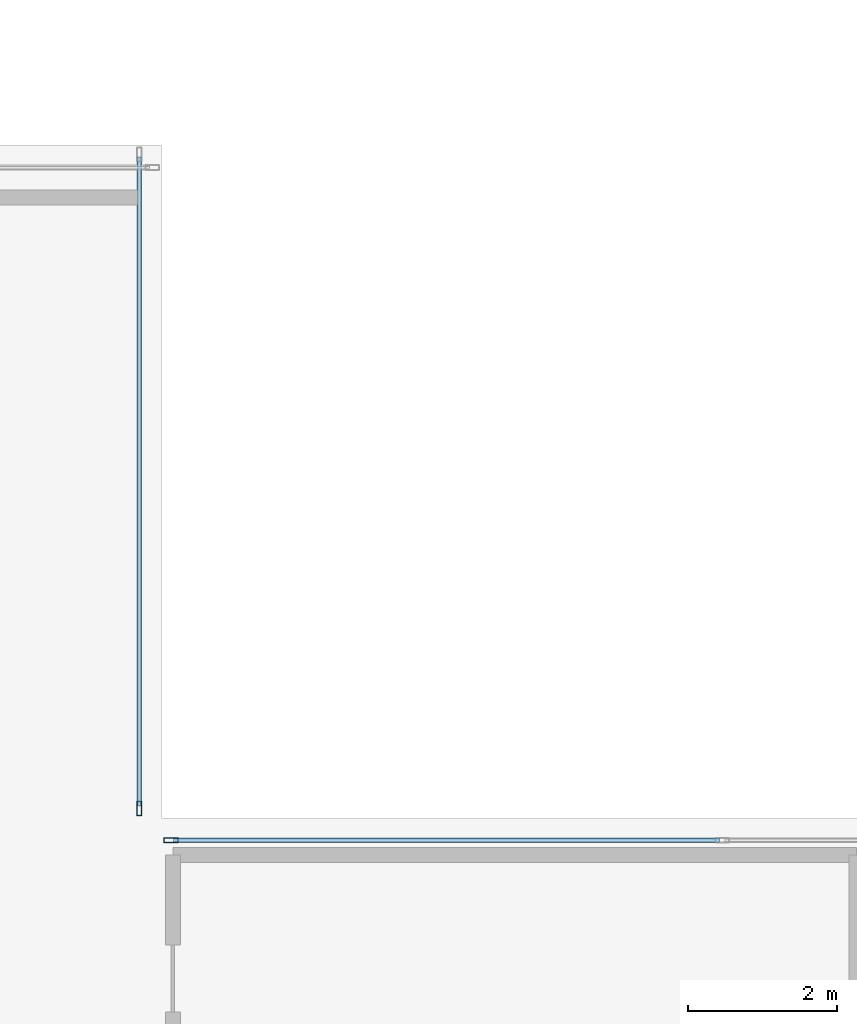
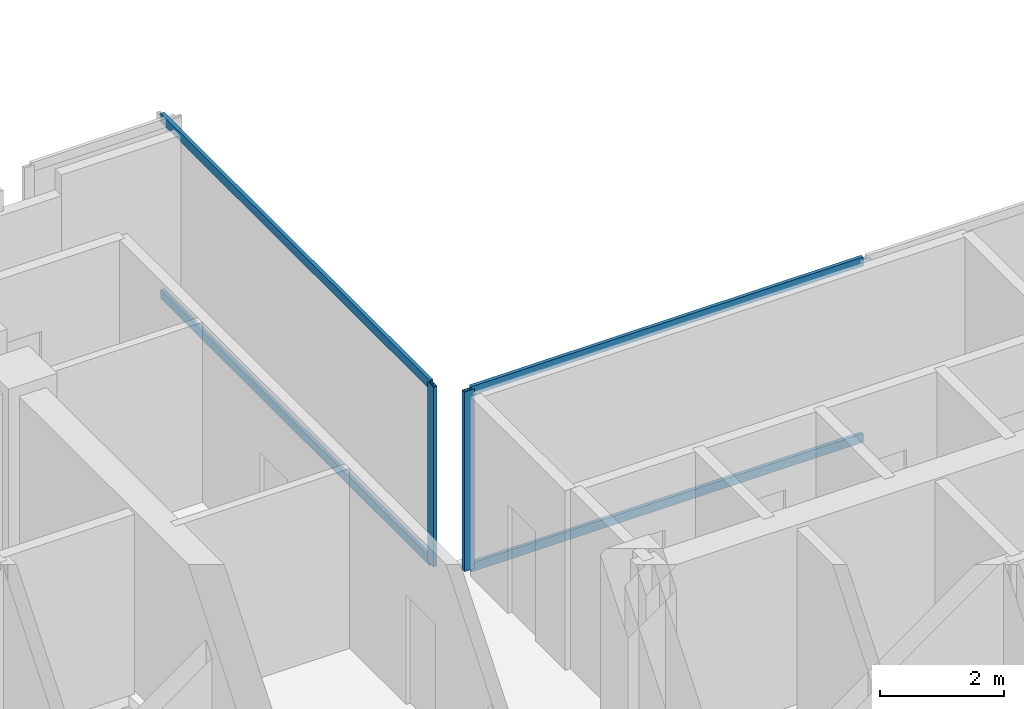
# One storey, part 10 of 26: 6 members, 2 elements without a shape of their own.
"""IFC4 building model written with IfcOpenShell, lengths in metres."""

from ifc_helpers import new_model, si_unit, direction, frame, origin, origin_2d, place, context, subcontext, project, spatial, hollow_rectangle, extrude, material, layer, layer_set, material_profile, profile_set, type_object, element, aggregate, save


model = new_model("IFC4")

# Units and contexts
model_context = context("Model", 3, precision=1e-05, world=origin(), true_north=direction((0.0, 1.0)))
body_context = subcontext(model_context, "Body", "Model", "MODEL_VIEW")
ifc_project = project(units=[si_unit("LENGTHUNIT", "METRE"), si_unit("AREAUNIT", "SQUARE_METRE"), si_unit("VOLUMEUNIT", "CUBIC_METRE"), si_unit("PLANEANGLEUNIT", "RADIAN"), si_unit("MASSUNIT", "GRAM", prefix="KILO"), si_unit("THERMODYNAMICTEMPERATUREUNIT", "KELVIN"), si_unit("POWERUNIT", "WATT")], contexts=[model_context])

# Site, building, storey
site_placement = place(None, origin())
site = spatial("IfcSite", under=ifc_project, at=site_placement, CompositionType="ELEMENT")
building_placement = place(site_placement, origin())
building = spatial("IfcBuilding", under=site, at=building_placement, Name="Svarakhadi Broadcast Tower", CompositionType="ELEMENT")
storey_placement = place(building_placement, frame((0.0, 0.0, 184.199951171875)))
storey = spatial("IfcBuildingStorey", under=building, at=storey_placement, Name="L45", CompositionType="ELEMENT", Elevation=184.199951171875)

# Curtain wall, member
ifc_material = material(Name="Anodised Bronze Aluminium AA 6063-T6", Category="aluminium")
ifc_layer = layer(ifc_material, 0.18994140625)
ifc_layer_set = layer_set([ifc_layer], Name="Anodised Bronze Aluminium AA 6063-T6")
curtain_wall_type = type_object("IfcCurtainWallType", Name="CW_Sys_04", PredefinedType="NOTDEFINED", material=ifc_layer_set)
curtain_wall_1_placement = place(storey_placement, origin())
curtain_wall_1 = element("IfcCurtainWall", 1, at=curtain_wall_1_placement, inside=storey, type_object=curtain_wall_type, Name="L45 Unitised Facade Curtain Wall 09", PredefinedType="NOTDEFINED")
ifc_material_profile_1 = material_profile(ifc_material, hollow_rectangle(XDim=0.070068359375, YDim=0.18994140625, WallThickness=0.005615234375, at=origin_2d()), Name="ALU MULLION 190x70x6")
ifc_profile_set_1 = profile_set([ifc_material_profile_1], Name="Anodised Bronze Aluminium AA 6063-T6")
member_type_1 = type_object("IfcMemberType", Name="CW_Sys_04_Mul", PredefinedType="MULLION", material=ifc_profile_set_1)
member_1_placement = place(storey_placement, frame((23.699951171875, 24.125, 0.0), z_axis=(0.0, 0.0, 1.0), x_axis=(1.0, 0.0, 0.0)))
member_1 = element("IfcMember", 2, at=member_1_placement, type_object=member_type_1, Name="CW-04 mullion 2", PredefinedType="MULLION", context=body_context, shape_type="SweptSolid", body=[
    extrude(hollow_rectangle(XDim=0.070068359375, YDim=0.18994140625, WallThickness=0.005615234375, at=origin_2d()), origin(), (0.0, 0.0, 1.0), 3.5400390625),
])

curtain_wall_2_placement = place(storey_placement, origin())
curtain_wall_2 = element("IfcCurtainWall", 3, at=curtain_wall_2_placement, inside=storey, type_object=curtain_wall_type, Name="L45 Unitised Facade Curtain Wall 10", PredefinedType="NOTDEFINED")
member_2_placement = place(storey_placement, frame((24.125, 23.699951171875, 0.0), z_axis=(0.0, 0.0, 1.0), x_axis=(0.0, 1.0, 0.0)))
member_2 = element("IfcMember", 4, at=member_2_placement, type_object=member_type_1, Name="CW-04 mullion 1", PredefinedType="MULLION", context=body_context, shape_type="SweptSolid", body=[
    extrude(hollow_rectangle(XDim=0.070068359375, YDim=0.18994140625, WallThickness=0.005615234375, at=origin_2d()), origin(), (0.0, 0.0, 1.0), 3.5400390625),
])

# Member
ifc_material_profile_2 = material_profile(ifc_material, hollow_rectangle(XDim=0.06494140625, YDim=0.175048828125, WallThickness=0.0048828125, at=origin_2d()), Name="ALU TRANSOM 175x65x5")
ifc_profile_set_2 = profile_set([ifc_material_profile_2], Name="Anodised Bronze Aluminium AA 6063-T6")
member_type_2 = type_object("IfcMemberType", Name="CW_Sys_04_Trn", PredefinedType="USERDEFINED", material=ifc_profile_set_2)
member_3_placement = place(storey_placement, frame((23.699951171875, 32.840087890625, 0.032470703125), z_axis=(0.0, -1.0, 0.0), x_axis=(1.0, 0.0, 0.0)))
member_3 = element("IfcMember", 5, at=member_3_placement, type_object=member_type_2, Name="CW-04 transom 1.1", ObjectType="TRANSOM", PredefinedType="USERDEFINED", context=body_context, shape_type="SweptSolid", body=[
    extrude(hollow_rectangle(XDim=0.06494140625, YDim=0.175048828125, WallThickness=0.0048828125, at=origin_2d()), origin(), (0.0, 0.0, 1.0), 8.68017578125),
])

member_4_placement = place(storey_placement, frame((23.699951171875, 32.840087890625, 3.507568359375), z_axis=(0.0, -1.0, 0.0), x_axis=(1.0, 0.0, 0.0)))
member_4 = element("IfcMember", 6, at=member_4_placement, type_object=member_type_2, Name="CW-04 transom 1.2", ObjectType="TRANSOM", PredefinedType="USERDEFINED", context=body_context, shape_type="SweptSolid", body=[
    extrude(hollow_rectangle(XDim=0.06494140625, YDim=0.175048828125, WallThickness=0.0048828125, at=origin_2d()), origin(), (0.0, 0.0, 1.0), 8.68017578125),
])

aggregate(curtain_wall_1, [member_1, member_3, member_4])

member_5_placement = place(storey_placement, frame((24.159912109375, 23.699951171875, 0.032470703125), z_axis=(1.0, 0.0, 0.0), x_axis=(0.0, 1.0, 0.0)))
member_5 = element("IfcMember", 7, at=member_5_placement, type_object=member_type_2, Name="CW-04 transom 1.1", ObjectType="TRANSOM", PredefinedType="USERDEFINED", context=body_context, shape_type="SweptSolid", body=[
    extrude(hollow_rectangle(XDim=0.06494140625, YDim=0.175048828125, WallThickness=0.0048828125, at=origin_2d()), origin(), (0.0, 0.0, 1.0), 7.30517578125),
])

member_6_placement = place(storey_placement, frame((24.159912109375, 23.699951171875, 3.507568359375), z_axis=(1.0, 0.0, 0.0), x_axis=(0.0, 1.0, 0.0)))
member_6 = element("IfcMember", 8, at=member_6_placement, type_object=member_type_2, Name="CW-04 transom 1.2", ObjectType="TRANSOM", PredefinedType="USERDEFINED", context=body_context, shape_type="SweptSolid", body=[
    extrude(hollow_rectangle(XDim=0.06494140625, YDim=0.175048828125, WallThickness=0.0048828125, at=origin_2d()), origin(), (0.0, 0.0, 1.0), 7.30517578125),
])

aggregate(curtain_wall_2, [member_2, member_5, member_6])

save(model, "model.ifc")
